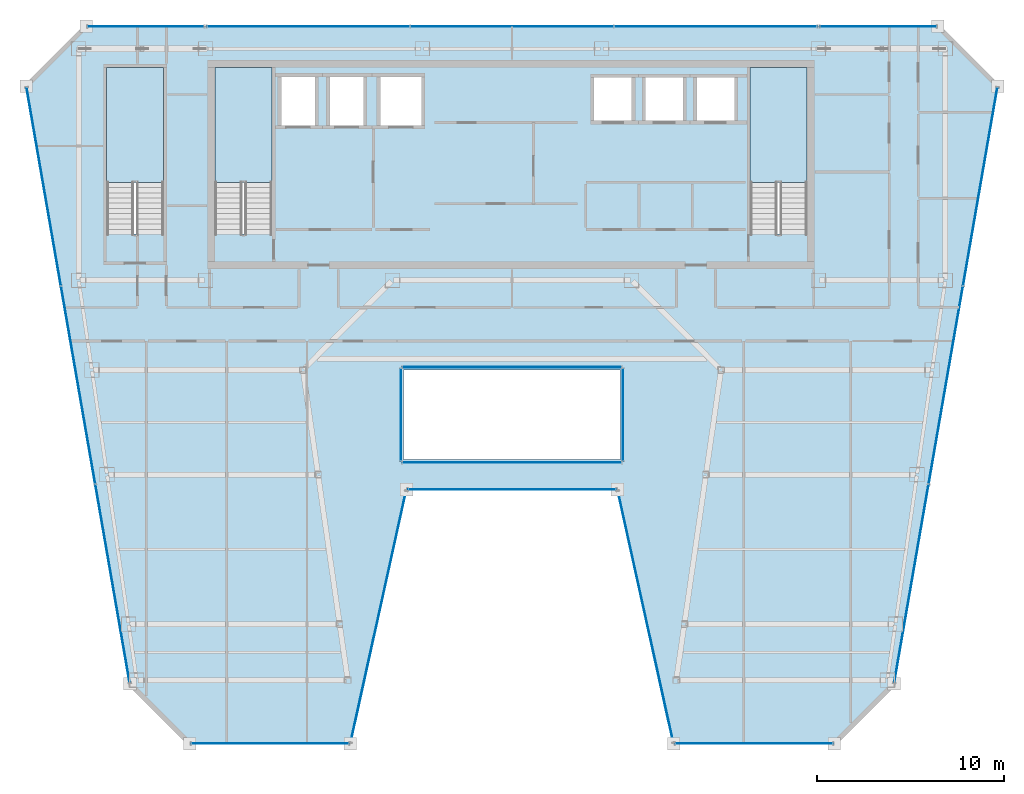
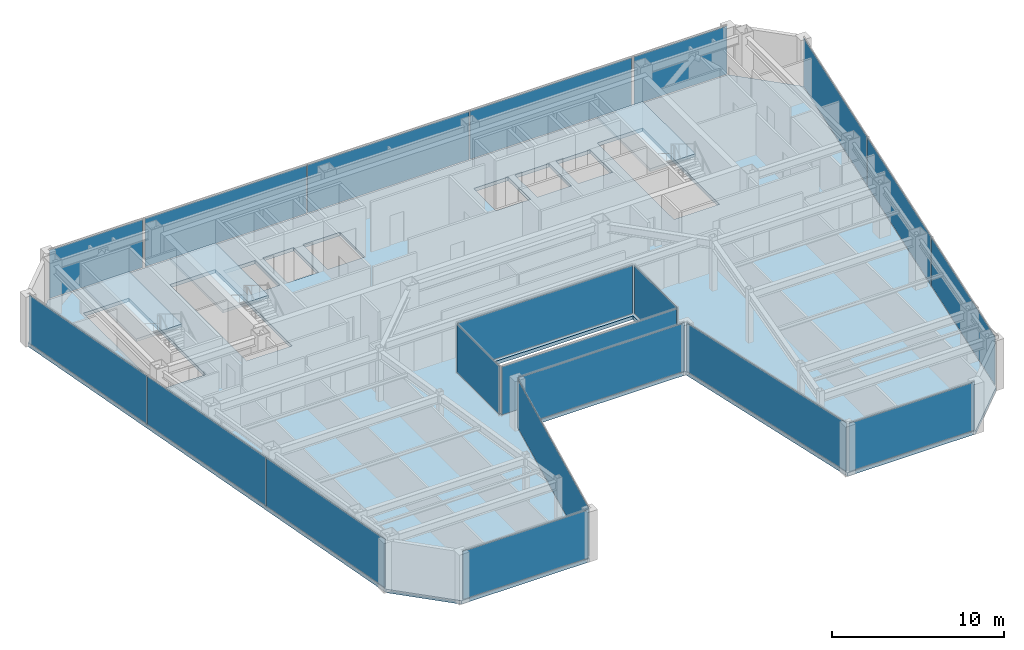
# One storey, part 24 of 33: 20 plates, 4 slabs, 17 elements without a shape of their own.
"""IFC4 building model written with IfcOpenShell, lengths in metres."""

import ifcopenshell
import ifcopenshell.guid

model = None  # the IFC model being written
_history = None  # IfcOwnerHistory: only IFC2X3 demands one
_inside = {}  # id of a spatial element -> (the spatial element, [elements in it])
_under = {}  # id of a project, library or spatial element -> (it, [spatial elements below it])
_declared = {}  # id of a project -> (the project, [libraries it declares])
_typed = {}  # id of a type object -> (the type object, [elements of that type])
_made_of = {}  # id of a material, layer set ... -> (it, [elements and type objects made of it])


def new_model(schema):
    """Start an empty IFC model of exactly this schema.

    Asked for "IFC4X3", IfcOpenShell would pick the latest addendum, in which some entities
    have other attributes; the version numbers below select the first issue.
    IFC2X3 requires an IfcOwnerHistory on every rooted entity: one is made here for all.
    """
    global model, _history
    if schema == "IFC4X3":
        model = ifcopenshell.file(schema_version=(4, 3, 0, 0))
    else:
        model = ifcopenshell.file(schema=schema)
    _inside.clear()
    _under.clear()
    _declared.clear()
    _typed.clear()
    _made_of.clear()
    _history = None
    if model.schema == "IFC2X3":
        org = make("IfcOrganization", Name="unknown")
        user = make(
            "IfcPersonAndOrganization",
            ThePerson=make("IfcPerson", FamilyName="unknown"),
            TheOrganization=org,
        )
        app = make(
            "IfcApplication",
            ApplicationDeveloper=org,
            Version="unknown",
            ApplicationFullName="unknown",
            ApplicationIdentifier="unknown",
        )
        _history = make(
            "IfcOwnerHistory",
            OwningUser=user,
            OwningApplication=app,
            ChangeAction="ADDED",
            CreationDate=0,
        )
    return model


def make(cls, **values):
    """One entity of the class cls with the attributes given. An attribute that is None is left unset."""
    return model.create_entity(
        cls, **{name: value for name, value in values.items() if value is not None}
    )


def rooted(cls, **values):
    """An entity with a GlobalId (a new one), such as an element, a storey or a relation."""
    return make(cls, GlobalId=ifcopenshell.guid.new(), OwnerHistory=_history, **values)


def si_unit(unit_type, name, prefix=None):
    """IfcSIUnit, for example si_unit("LENGTHUNIT", "METRE", prefix="MILLI")."""
    return make("IfcSIUnit", UnitType=unit_type, Prefix=prefix, Name=name)


def assignment(units):
    """IfcUnitAssignment: the units of a project."""
    return None if units is None else make("IfcUnitAssignment", Units=units)


def point(xyz):
    """IfcCartesianPoint."""
    return None if xyz is None else make("IfcCartesianPoint", Coordinates=xyz)


def direction(xyz):
    """IfcDirection."""
    return None if xyz is None else make("IfcDirection", DirectionRatios=xyz)


def frame(location, z_axis=None, x_axis=None):
    """IfcAxis2Placement3D, a coordinate frame: its origin and axes. An axis left out is left unset."""
    return make(
        "IfcAxis2Placement3D",
        Location=point(location),
        Axis=direction(z_axis),
        RefDirection=direction(x_axis),
    )


def frame_2d(location, x_axis=None):
    """IfcAxis2Placement2D, a coordinate frame in the plane: its origin and x axis."""
    return make(
        "IfcAxis2Placement2D", Location=point(location), RefDirection=direction(x_axis)
    )


def origin():
    """The frame at (0, 0, 0) with its axes left unset."""
    return frame((0.0, 0.0, 0.0))


def origin_2d():
    """The frame at (0, 0) in the plane with its x axis left unset."""
    return frame_2d((0.0, 0.0))


def place(relative_to, where):
    """IfcLocalPlacement: puts the frame where relative to a parent placement (None: the world)."""
    return make(
        "IfcLocalPlacement", PlacementRelTo=relative_to, RelativePlacement=where
    )


def context(
    kind, dimensions, precision=None, world=None, true_north=None, identifier=None
):
    """IfcGeometricRepresentationContext, for example the 3D "Model" context."""
    return make(
        "IfcGeometricRepresentationContext",
        ContextIdentifier=identifier,
        ContextType=kind,
        CoordinateSpaceDimension=dimensions,
        Precision=precision,
        WorldCoordinateSystem=world,
        TrueNorth=true_north,
    )


def subcontext(parent, identifier, kind, view, scale=None):
    """IfcGeometricRepresentationSubContext, for example "Body" below "Model"."""
    return make(
        "IfcGeometricRepresentationSubContext",
        ContextIdentifier=identifier,
        ContextType=kind,
        ParentContext=parent,
        TargetScale=scale,
        TargetView=view,
    )


def project(units=None, contexts=None):
    """IfcProject with its units and contexts."""
    return rooted(
        "IfcProject",
        Name="project",
        RepresentationContexts=contexts,
        UnitsInContext=assignment(units),
    )


def spatial(cls, under=None, at=None, **own):
    """A site, building, storey or space (cls), placed at a placement, below another one or the project."""
    s = rooted(cls, ObjectPlacement=at, **own)
    if under is not None:
        _under.setdefault(under.id(), (under, []))[1].append(s)
    return s


def polyline(points):
    """IfcPolyline through the points."""
    return make("IfcPolyline", Points=[point(p) for p in points])


def profile(cls, at=None, kind="AREA", **sizes):
    """A parametric profile (cls). Its sizes go by their IFC names, for example OverallWidth=200.0."""
    return make(cls, ProfileType=kind, Position=at, **sizes)


def rectangle(**sizes):
    """IfcRectangleProfileDef."""
    return profile("IfcRectangleProfileDef", **sizes)


def outline(outer, holes=None, kind="AREA"):
    """IfcArbitraryClosedProfileDef: a profile drawn as a closed curve; with holes, ...WithVoids."""
    if holes is None:
        return make("IfcArbitraryClosedProfileDef", ProfileType=kind, OuterCurve=outer)
    return make(
        "IfcArbitraryProfileDefWithVoids",
        ProfileType=kind,
        OuterCurve=outer,
        InnerCurves=holes,
    )


def extrude(swept, where, along, depth):
    """IfcExtrudedAreaSolid: the profile swept, set in the frame where, extruded along a direction by depth."""
    return make(
        "IfcExtrudedAreaSolid",
        SweptArea=swept,
        Position=where,
        ExtrudedDirection=direction(along),
        Depth=depth,
    )


def shape(context_of_items, identifier, shape_type, items):
    """IfcShapeRepresentation: the items that make up one representation, for example the "Body"."""
    return make(
        "IfcShapeRepresentation",
        ContextOfItems=context_of_items,
        RepresentationIdentifier=identifier,
        RepresentationType=shape_type,
        Items=items,
    )


def material(Name=None, Category=None):
    """IfcMaterial."""
    return make("IfcMaterial", Name=Name, Category=Category)


def layer(
    of_material, thickness, ventilated=None, Name=None, Category=None, Priority=None
):
    """IfcMaterialLayer: one layer of a wall or slab, of a material (None: an air gap)."""
    return make(
        "IfcMaterialLayer",
        Material=of_material,
        LayerThickness=thickness,
        IsVentilated=ventilated,
        Name=Name,
        Category=Category,
        Priority=Priority,
    )


def layer_set(layers, Name=None):
    """IfcMaterialLayerSet."""
    return make("IfcMaterialLayerSet", MaterialLayers=layers, LayerSetName=Name)


def made_of(thing, what):
    """Note that an element or type object is made of a material, layer set ...; save() writes the relation."""
    if what is not None:
        _made_of.setdefault(what.id(), (what, []))[1].append(thing)
    return thing


def type_object(cls, material=None, **own):
    """A type object (cls), such as IfcWallType, which elements share."""
    return made_of(rooted(cls, **own), material)


def element(
    cls,
    number,
    at=None,
    inside=None,
    cuts=None,
    type_object=None,
    material=None,
    context=None,
    identifier="Body",
    shape_type=None,
    held_by="IfcProductDefinitionShape",
    body=None,
    shapes=None,
    **own,
):
    """One element of the class cls, such as IfcWall. Its Tag is "e" and its number.

    at: its placement. inside: the storey or other place that contains it. cuts: it is an
    opening in that element (IfcRelVoidsElement). A single representation is given by context,
    identifier, shape_type and body (its items); several are given by shapes. held_by: the class
    of the entity that holds the representations. save() writes the other relations.
    """
    e = rooted(cls, Tag="e%d" % number, ObjectPlacement=at, **own)
    if body is not None:
        shapes = [shape(context, identifier, shape_type, body)]
    if shapes is not None:
        e.Representation = make(held_by, Representations=shapes)
    if inside is not None:
        _inside.setdefault(inside.id(), (inside, []))[1].append(e)
    if cuts is not None:
        rooted(
            "IfcRelVoidsElement", RelatingBuildingElement=cuts, RelatedOpeningElement=e
        )
    if type_object is not None:
        _typed.setdefault(type_object.id(), (type_object, []))[1].append(e)
    return made_of(e, material)


def aggregate(whole, parts):
    """IfcRelAggregates: a whole, such as a stair, and the parts it consists of."""
    return rooted("IfcRelAggregates", RelatingObject=whole, RelatedObjects=parts)


def save(model, path):
    """Write the relations noted so far, then the file.

    IfcRelAggregates (storeys below a building ...), IfcRelContainedInSpatialStructure (elements
    in a storey), IfcRelDefinesByType, IfcRelAssociatesMaterial and IfcRelDeclares: one each for
    every whole, place, type object, material and project.
    """
    for whole, parts in _under.values():
        aggregate(whole, parts)
    for where, things in _inside.values():
        rooted(
            "IfcRelContainedInSpatialStructure",
            RelatedElements=things,
            RelatingStructure=where,
        )
    for kind, things in _typed.values():
        rooted("IfcRelDefinesByType", RelatedObjects=things, RelatingType=kind)
    for what, things in _made_of.values():
        rooted("IfcRelAssociatesMaterial", RelatedObjects=things, RelatingMaterial=what)
    for by, libraries in _declared.values():
        rooted("IfcRelDeclares", RelatingContext=by, RelatedDefinitions=libraries)
    model.write(path)


model = new_model("IFC4")

# Units and contexts
model_context = context("Model", 3, precision=1e-05, world=origin(), true_north=direction((0.0, 1.0)))
body_context = subcontext(model_context, "Body", "Model", "MODEL_VIEW")
ifc_project = project(units=[si_unit("LENGTHUNIT", "METRE"), si_unit("AREAUNIT", "SQUARE_METRE"), si_unit("VOLUMEUNIT", "CUBIC_METRE"), si_unit("PLANEANGLEUNIT", "RADIAN"), si_unit("MASSUNIT", "GRAM", prefix="KILO")], contexts=[model_context])

# Site, building, storey
site_placement = place(None, origin())
site = spatial("IfcSite", under=ifc_project, at=site_placement, CompositionType="ELEMENT")
building_placement = place(site_placement, origin())
building = spatial("IfcBuilding", under=site, at=building_placement, Name="Saevonmaru Cultural Tower", CompositionType="ELEMENT")
storey_placement = place(building_placement, frame((0.0, 0.0, 238.199951171875)))
storey = spatial("IfcBuildingStorey", under=building, at=storey_placement, Name="L55", CompositionType="ELEMENT", Elevation=238.199951171875)

# Curtain wall, plate
ifc_material_1 = material(Name="Satin Bronze Anodised Aluminium", Category="aluminium")
curtain_wall_type_1 = type_object("IfcCurtainWallType", Name="CW-ATR-GLZ", PredefinedType="NOTDEFINED", material=ifc_material_1)
curtain_wall_1_placement = place(storey_placement, origin())
curtain_wall_1 = element("IfcCurtainWall", 1, at=curtain_wall_1_placement, inside=storey, type_object=curtain_wall_type_1, Name="L55 Vertical Atrium Glazed Smoke Screen 1", PredefinedType="NOTDEFINED")
ifc_material_2 = material(Name="Fire-Rated Laminated Atrium Glass", Category="glass")
ifc_layer_1 = layer(ifc_material_2, 0.031982421875, Name="Fire-Rated Laminated Atrium Glass")
ifc_layer_set_1 = layer_set([ifc_layer_1], Name="Fire-Rated Laminated Atrium Glass")
plate_type_1 = type_object("IfcPlateType", Name="PN-GLZ-ATR-INT", PredefinedType="CURTAIN_PANEL", material=ifc_layer_set_1)
plate_1_placement = place(storey_placement, frame((30.0, 32.64990234375, 0.067138671875), z_axis=(0.0, 0.0, 1.0), x_axis=(1.0, 0.0, 0.0)))
plate_1 = element("IfcPlate", 2, at=plate_1_placement, type_object=plate_type_1, Name="CW-ATR-L55-1 panel 1.1", PredefinedType="CURTAIN_PANEL", context=body_context, shape_type="SweptSolid", body=[
    extrude(rectangle(XDim=11.7109375, YDim=0.031982421875, at=origin_2d()), origin(), (0.0, 0.0, 1.0), 3.416015625),
])
aggregate(curtain_wall_1, [plate_1])

curtain_wall_2_placement = place(storey_placement, origin())
curtain_wall_2 = element("IfcCurtainWall", 3, at=curtain_wall_2_placement, inside=storey, type_object=curtain_wall_type_1, Name="L55 Vertical Atrium Glazed Smoke Screen 2", PredefinedType="NOTDEFINED")
plate_2_placement = place(storey_placement, frame((35.949951171875, 35.199951171875, 0.067138671875), z_axis=(0.0, 0.0, 1.0), x_axis=(0.0, 1.0, 0.0)))
plate_2 = element("IfcPlate", 4, at=plate_2_placement, type_object=plate_type_1, Name="CW-ATR-L55-2 panel 1.1", PredefinedType="CURTAIN_PANEL", context=body_context, shape_type="SweptSolid", body=[
    extrude(rectangle(XDim=4.910888671875, YDim=0.031982421875, at=origin_2d()), origin(), (0.0, 0.0, 1.0), 3.416015625),
])
aggregate(curtain_wall_2, [plate_2])

curtain_wall_3_placement = place(storey_placement, origin())
curtain_wall_3 = element("IfcCurtainWall", 5, at=curtain_wall_3_placement, inside=storey, type_object=curtain_wall_type_1, Name="L55 Vertical Atrium Glazed Smoke Screen 3", PredefinedType="NOTDEFINED")
plate_3_placement = place(storey_placement, frame((30.0, 37.75, 0.067138671875), z_axis=(0.0, 0.0, 1.0), x_axis=(-1.0, 0.0, 0.0)))
plate_3 = element("IfcPlate", 6, at=plate_3_placement, type_object=plate_type_1, Name="CW-ATR-L55-3 panel 1.1", PredefinedType="CURTAIN_PANEL", context=body_context, shape_type="SweptSolid", body=[
    extrude(rectangle(XDim=11.7109375, YDim=0.031982421875, at=origin_2d()), origin(), (0.0, 0.0, 1.0), 3.416015625),
])
aggregate(curtain_wall_3, [plate_3])

curtain_wall_4_placement = place(storey_placement, origin())
curtain_wall_4 = element("IfcCurtainWall", 7, at=curtain_wall_4_placement, inside=storey, type_object=curtain_wall_type_1, Name="L55 Vertical Atrium Glazed Smoke Screen 4", PredefinedType="NOTDEFINED")
plate_4_placement = place(storey_placement, frame((24.050048828125, 35.199951171875, 0.067138671875), z_axis=(0.0, 0.0, 1.0), x_axis=(0.0, -1.0, 0.0)))
plate_4 = element("IfcPlate", 8, at=plate_4_placement, type_object=plate_type_1, Name="CW-ATR-L55-4 panel 1.1", PredefinedType="CURTAIN_PANEL", context=body_context, shape_type="SweptSolid", body=[
    extrude(rectangle(XDim=4.910888671875, YDim=0.031982421875, at=origin_2d()), origin(), (0.0, 0.0, 1.0), 3.416015625),
])
aggregate(curtain_wall_4, [plate_4])

curtain_wall_type_2 = type_object("IfcCurtainWallType", Name="CW-TYP-B", PredefinedType="NOTDEFINED", material=ifc_material_1)
curtain_wall_5_placement = place(storey_placement, origin())
curtain_wall_5 = element("IfcCurtainWall", 9, at=curtain_wall_5_placement, inside=storey, type_object=curtain_wall_type_2, Name="L55 Unitised Curtain Wall E2", PredefinedType="NOTDEFINED")
ifc_material_3 = material(Name="Triple Silver Low-E Insulating Glass", Category="glass")
ifc_layer_2 = layer(ifc_material_3, 0.035888671875, Name="Triple Silver Low-E Insulating Glass")
ifc_layer_set_2 = layer_set([ifc_layer_2], Name="Triple Silver Low-E Insulating Glass")
plate_type_2 = type_object("IfcPlateType", Name="PN-GLZ-IGU", PredefinedType="CURTAIN_PANEL", material=ifc_layer_set_2)
plate_5_placement = place(storey_placement, frame((17.046630859375, 17.60009765625, 0.067138671875), z_axis=(0.0, 0.0, 1.0), x_axis=(1.0, 0.0, 0.0)))
plate_5 = element("IfcPlate", 10, at=plate_5_placement, type_object=plate_type_2, Name="CW-TW-L55-E2 panel 1.1", PredefinedType="CURTAIN_PANEL", context=body_context, shape_type="SweptSolid", body=[
    extrude(rectangle(XDim=8.410888671875, YDim=0.035888671875, at=origin_2d()), origin(), (0.0, 0.0, 1.0), 3.416015625),
])
aggregate(curtain_wall_5, [plate_5])

curtain_wall_6_placement = place(storey_placement, origin())
curtain_wall_6 = element("IfcCurtainWall", 11, at=curtain_wall_6_placement, inside=storey, type_object=curtain_wall_type_2, Name="L55 Unitised Curtain Wall E3", PredefinedType="NOTDEFINED")
plate_6_placement = place(storey_placement, frame((22.8466796875, 24.39990234375, 0.067138671875), z_axis=(0.0, 0.0, 1.0), x_axis=(0.215413319953, 0.976522965212, 0.0)))
plate_6 = element("IfcPlate", 12, at=plate_6_placement, type_object=plate_type_2, Name="CW-TW-L55-E3 panel 1.1", PredefinedType="CURTAIN_PANEL", context=body_context, shape_type="SweptSolid", body=[
    extrude(rectangle(XDim=13.738037109375, YDim=0.035888671875, at=origin_2d()), origin(), (0.0, 0.0, 1.0), 3.416015625),
])
aggregate(curtain_wall_6, [plate_6])

curtain_wall_7_placement = place(storey_placement, origin())
curtain_wall_7 = element("IfcCurtainWall", 13, at=curtain_wall_7_placement, inside=storey, type_object=curtain_wall_type_2, Name="L55 Unitised Curtain Wall E4", PredefinedType="NOTDEFINED")
plate_7_placement = place(storey_placement, frame((30.0, 31.199951171875, 0.067138671875), z_axis=(0.0, 0.0, 1.0), x_axis=(1.0, 0.0, 0.0)))
plate_7 = element("IfcPlate", 14, at=plate_7_placement, type_object=plate_type_2, Name="CW-TW-L55-E4 panel 1.1", PredefinedType="CURTAIN_PANEL", context=body_context, shape_type="SweptSolid", body=[
    extrude(rectangle(XDim=11.11767578125, YDim=0.035888671875, at=origin_2d()), origin(), (0.0, 0.0, 1.0), 3.416015625),
])
aggregate(curtain_wall_7, [plate_7])

curtain_wall_8_placement = place(storey_placement, origin())
curtain_wall_8 = element("IfcCurtainWall", 15, at=curtain_wall_8_placement, inside=storey, type_object=curtain_wall_type_2, Name="L55 Unitised Curtain Wall E5", PredefinedType="NOTDEFINED")
plate_8_placement = place(storey_placement, frame((37.1533203125, 24.39990234375, 0.067138671875), z_axis=(0.0, 0.0, 1.0), x_axis=(0.215413319953, -0.976522965212, 0.0)))
plate_8 = element("IfcPlate", 16, at=plate_8_placement, type_object=plate_type_2, Name="CW-TW-L55-E5 panel 1.1", PredefinedType="CURTAIN_PANEL", context=body_context, shape_type="SweptSolid", body=[
    extrude(rectangle(XDim=13.738037109375, YDim=0.035888671875, at=origin_2d()), origin(), (0.0, 0.0, 1.0), 3.416015625),
])
aggregate(curtain_wall_8, [plate_8])

curtain_wall_9_placement = place(storey_placement, origin())
curtain_wall_9 = element("IfcCurtainWall", 17, at=curtain_wall_9_placement, inside=storey, type_object=curtain_wall_type_2, Name="L55 Unitised Curtain Wall E6", PredefinedType="NOTDEFINED")
plate_9_placement = place(storey_placement, frame((42.953369140625, 17.60009765625, 0.067138671875), z_axis=(0.0, 0.0, 1.0), x_axis=(1.0, 0.0, 0.0)))
plate_9 = element("IfcPlate", 18, at=plate_9_placement, type_object=plate_type_2, Name="CW-TW-L55-E6 panel 1.1", PredefinedType="CURTAIN_PANEL", context=body_context, shape_type="SweptSolid", body=[
    extrude(rectangle(XDim=8.410888671875, YDim=0.035888671875, at=origin_2d()), origin(), (0.0, 0.0, 1.0), 3.416015625),
])
aggregate(curtain_wall_9, [plate_9])

# Curtain wall, plates
curtain_wall_10_placement = place(storey_placement, origin())
curtain_wall_10 = element("IfcCurtainWall", 19, at=curtain_wall_10_placement, inside=storey, type_object=curtain_wall_type_2, Name="L55 Unitised Curtain Wall E8", PredefinedType="NOTDEFINED")
plate_10_placement = place(storey_placement, frame((51.384521484375, 26.1728515625, 0.067138671875), z_axis=(0.0, 0.0, 1.0), x_axis=(0.170790369887, 0.985307388359, 0.0)))
plate_10 = element("IfcPlate", 20, at=plate_10_placement, type_object=plate_type_2, Name="CW-TW-L55-E8 panel 1.1", PredefinedType="CURTAIN_PANEL", context=body_context, shape_type="SweptSolid", body=[
    extrude(rectangle(XDim=10.716796875, YDim=0.035888671875, at=origin_2d()), origin(), (0.0, 0.0, 1.0), 3.416015625),
])
plate_11_placement = place(storey_placement, frame((53.2265625, 36.800048828125, 0.067138671875), z_axis=(0.0, 0.0, 1.0), x_axis=(0.170790369887, 0.985307388359, 0.0)))
plate_11 = element("IfcPlate", 21, at=plate_11_placement, type_object=plate_type_2, Name="CW-TW-L55-E8 panel 2.1", PredefinedType="CURTAIN_PANEL", context=body_context, shape_type="SweptSolid", body=[
    extrude(rectangle(XDim=10.716796875, YDim=0.035888671875, at=origin_2d()), origin(), (0.0, 0.0, 1.0), 3.416015625),
])
plate_12_placement = place(storey_placement, frame((55.06884765625, 47.42724609375, 0.067138671875), z_axis=(0.0, 0.0, 1.0), x_axis=(0.170790369887, 0.985307388359, 0.0)))
plate_12 = element("IfcPlate", 22, at=plate_12_placement, type_object=plate_type_2, Name="CW-TW-L55-E8 panel 3.1", PredefinedType="CURTAIN_PANEL", context=body_context, shape_type="SweptSolid", body=[
    extrude(rectangle(XDim=10.716796875, YDim=0.035888671875, at=origin_2d()), origin(), (0.0, 0.0, 1.0), 3.416015625),
])
aggregate(curtain_wall_10, [plate_10, plate_11, plate_12])

curtain_wall_11_placement = place(storey_placement, origin())
curtain_wall_11 = element("IfcCurtainWall", 23, at=curtain_wall_11_placement, inside=storey, type_object=curtain_wall_type_2, Name="L55 North Spine Unitised Curtain Wall E10B", PredefinedType="NOTDEFINED")
plate_13_placement = place(storey_placement, frame((40.893310546875, 56.0, 0.067138671875), z_axis=(0.0, 0.0, 1.0), x_axis=(-1.0, 0.0, 0.0)))
plate_13 = element("IfcPlate", 24, at=plate_13_placement, type_object=plate_type_2, Name="CW-TW-L55-E10B panel 1.1", PredefinedType="CURTAIN_PANEL", context=body_context, shape_type="SweptSolid", body=[
    extrude(rectangle(XDim=10.82421875, YDim=0.035888671875, at=origin_2d()), origin(), (0.0, 0.0, 1.0), 3.416015625),
])
plate_14_placement = place(storey_placement, frame((30.0, 56.0, 0.067138671875), z_axis=(0.0, 0.0, 1.0), x_axis=(-1.0, 0.0, 0.0)))
plate_14 = element("IfcPlate", 25, at=plate_14_placement, type_object=plate_type_2, Name="CW-TW-L55-E10B panel 2.1", PredefinedType="CURTAIN_PANEL", context=body_context, shape_type="SweptSolid", body=[
    extrude(rectangle(XDim=10.82421875, YDim=0.035888671875, at=origin_2d()), origin(), (0.0, 0.0, 1.0), 3.416015625),
])
plate_15_placement = place(storey_placement, frame((19.106689453125, 56.0, 0.067138671875), z_axis=(0.0, 0.0, 1.0), x_axis=(-1.0, 0.0, 0.0)))
plate_15 = element("IfcPlate", 26, at=plate_15_placement, type_object=plate_type_2, Name="CW-TW-L55-E10B panel 3.1", PredefinedType="CURTAIN_PANEL", context=body_context, shape_type="SweptSolid", body=[
    extrude(rectangle(XDim=10.82421875, YDim=0.035888671875, at=origin_2d()), origin(), (0.0, 0.0, 1.0), 3.416015625),
])
aggregate(curtain_wall_11, [plate_13, plate_14, plate_15])

curtain_wall_12_placement = place(storey_placement, origin())
curtain_wall_12 = element("IfcCurtainWall", 27, at=curtain_wall_12_placement, inside=storey, type_object=curtain_wall_type_2, Name="L55 Unitised Curtain Wall E12", PredefinedType="NOTDEFINED")
plate_16_placement = place(storey_placement, frame((4.93115234375, 47.42724609375, 0.067138671875), z_axis=(0.0, 0.0, 1.0), x_axis=(0.170790369887, -0.985307388359, 0.0)))
plate_16 = element("IfcPlate", 28, at=plate_16_placement, type_object=plate_type_2, Name="CW-TW-L55-E12 panel 1.1", PredefinedType="CURTAIN_PANEL", context=body_context, shape_type="SweptSolid", body=[
    extrude(rectangle(XDim=10.716796875, YDim=0.035888671875, at=origin_2d()), origin(), (0.0, 0.0, 1.0), 3.416015625),
])
plate_17_placement = place(storey_placement, frame((6.7734375, 36.800048828125, 0.067138671875), z_axis=(0.0, 0.0, 1.0), x_axis=(0.170790369887, -0.985307388359, 0.0)))
plate_17 = element("IfcPlate", 29, at=plate_17_placement, type_object=plate_type_2, Name="CW-TW-L55-E12 panel 2.1", PredefinedType="CURTAIN_PANEL", context=body_context, shape_type="SweptSolid", body=[
    extrude(rectangle(XDim=10.716796875, YDim=0.035888671875, at=origin_2d()), origin(), (0.0, 0.0, 1.0), 3.416015625),
])
plate_18_placement = place(storey_placement, frame((8.615478515625, 26.1728515625, 0.067138671875), z_axis=(0.0, 0.0, 1.0), x_axis=(0.170790369887, -0.985307388359, 0.0)))
plate_18 = element("IfcPlate", 30, at=plate_18_placement, type_object=plate_type_2, Name="CW-TW-L55-E12 panel 3.1", PredefinedType="CURTAIN_PANEL", context=body_context, shape_type="SweptSolid", body=[
    extrude(rectangle(XDim=10.716796875, YDim=0.035888671875, at=origin_2d()), origin(), (0.0, 0.0, 1.0), 3.416015625),
])
aggregate(curtain_wall_12, [plate_16, plate_17, plate_18])

# Curtain wall, plate
curtain_wall_13_placement = place(storey_placement, origin())
curtain_wall_13 = element("IfcCurtainWall", 31, at=curtain_wall_13_placement, inside=storey, type_object=curtain_wall_type_2, Name="L55 East Braced Bay Spandrel Curtain Wall E10A", PredefinedType="NOTDEFINED")
ifc_material_4 = material(Name="Insulated Satin Bronze Aluminium Spandrel Panel", Category="aluminium")
ifc_layer_3 = layer(ifc_material_4, 0.0400390625, Name="Insulated Satin Bronze Aluminium Spandrel Panel")
ifc_layer_set_3 = layer_set([ifc_layer_3], Name="Insulated Satin Bronze Aluminium Spandrel Panel")
plate_type_3 = type_object("IfcPlateType", Name="PN-SPANDREL-BRONZE", PredefinedType="CURTAIN_PANEL", material=ifc_layer_set_3)
plate_19_placement = place(storey_placement, frame((49.60009765625, 56.0, 0.067138671875), z_axis=(0.0, 0.0, 1.0), x_axis=(-1.0, 0.0, 0.0)))
plate_19 = element("IfcPlate", 32, at=plate_19_placement, type_object=plate_type_3, Name="CW-TW-L55-E10A panel 1.1", PredefinedType="CURTAIN_PANEL", context=body_context, shape_type="SweptSolid", body=[
    extrude(rectangle(XDim=6.2109375, YDim=0.035888671875, at=origin_2d()), origin(), (0.0, 0.0, 1.0), 3.416015625),
])
aggregate(curtain_wall_13, [plate_19])

curtain_wall_14_placement = place(storey_placement, origin())
curtain_wall_14 = element("IfcCurtainWall", 33, at=curtain_wall_14_placement, inside=storey, type_object=curtain_wall_type_2, Name="L55 West Braced Bay Spandrel Curtain Wall E10C", PredefinedType="NOTDEFINED")
plate_20_placement = place(storey_placement, frame((10.39990234375, 56.0, 0.067138671875), z_axis=(0.0, 0.0, 1.0), x_axis=(-1.0, 0.0, 0.0)))
plate_20 = element("IfcPlate", 34, at=plate_20_placement, type_object=plate_type_3, Name="CW-TW-L55-E10C panel 1.1", PredefinedType="CURTAIN_PANEL", context=body_context, shape_type="SweptSolid", body=[
    extrude(rectangle(XDim=6.2109375, YDim=0.035888671875, at=origin_2d()), origin(), (0.0, 0.0, 1.0), 3.416015625),
])
aggregate(curtain_wall_14, [plate_20])

# Slab
ifc_material_5 = material(Name="Concrete C40/50", Category="concrete")
ifc_layer_4 = layer(ifc_material_5, 0.25, Name="Concrete C40/50")
ifc_layer_set_4 = layer_set([ifc_layer_4], Name="Concrete C40/50")
slab_type_1 = type_object("IfcSlabType", Name="SL-FLR-250", PredefinedType="FLOOR", material=ifc_layer_set_4)
slab_1_placement = place(storey_placement, frame((0.0, 0.0, -0.25)))
element("IfcSlab", 35, at=slab_1_placement, inside=storey, type_object=slab_type_1, Name="L55 Tower Structural Floor Slab", PredefinedType="FLOOR", context=body_context, shape_type="SweptSolid", body=[
    extrude(outline(polyline([(9.546630859375, 20.800048828125), (12.74658203125, 17.60009765625), (21.3466796875, 17.60009765625), (24.3466796875, 31.199951171875), (35.6533203125, 31.199951171875), (38.6533203125, 17.60009765625), (47.25341796875, 17.60009765625), (50.453369140625, 20.800048828125), (56.0, 52.800048828125), (52.800048828125, 56.0), (7.199951171875, 56.0), (4.0, 52.800048828125), (9.546630859375, 20.800048828125)]), holes=[polyline([(45.800048828125, 44.875), (42.75, 44.875), (42.75, 53.800048828125), (45.800048828125, 53.800048828125), (45.800048828125, 44.875)]), polyline([(39.75, 50.800048828125), (39.75, 53.39990234375), (42.050048828125, 53.39990234375), (42.050048828125, 50.800048828125), (39.75, 50.800048828125)]), polyline([(37.0, 50.800048828125), (37.0, 53.39990234375), (39.300048828125, 53.39990234375), (39.300048828125, 50.800048828125), (37.0, 50.800048828125)]), polyline([(36.550048828125, 50.800048828125), (34.25, 50.800048828125), (34.25, 53.39990234375), (36.550048828125, 53.39990234375), (36.550048828125, 50.800048828125)]), polyline([(35.800048828125, 32.800048828125), (24.199951171875, 32.800048828125), (24.199951171875, 37.60009765625), (35.800048828125, 37.60009765625), (35.800048828125, 32.800048828125)]), polyline([(25.300048828125, 50.550048828125), (22.800048828125, 50.550048828125), (22.800048828125, 53.449951171875), (25.300048828125, 53.449951171875), (25.300048828125, 50.550048828125)]), polyline([(22.199951171875, 50.550048828125), (20.10009765625, 50.550048828125), (20.10009765625, 53.449951171875), (22.199951171875, 53.449951171875), (22.199951171875, 50.550048828125)]), polyline([(17.5, 50.550048828125), (17.5, 53.449951171875), (19.60009765625, 53.449951171875), (19.60009765625, 50.550048828125), (17.5, 50.550048828125)]), polyline([(17.14990234375, 53.800048828125), (17.14990234375, 44.875), (14.10009765625, 44.875), (14.10009765625, 53.800048828125), (17.14990234375, 53.800048828125)]), polyline([(11.35009765625, 53.800048828125), (11.35009765625, 44.875), (8.300048828125, 44.875), (8.300048828125, 53.800048828125), (11.35009765625, 53.800048828125)])]), origin(), (0.0, 0.0, 1.0), 0.25),
])

# Stair, slab
stair_type = type_object("IfcStairType", Name="STR-DOGLEG-RC", PredefinedType="HALF_TURN_STAIR", material=ifc_material_5)
stair_1_placement = place(storey_placement, origin())
stair_1 = element("IfcStair", 36, at=stair_1_placement, inside=storey, type_object=stair_type, Name="L55 Protected exit stair ST-1", PredefinedType="HALF_TURN_STAIR")
ifc_layer_5 = layer(ifc_material_5, 0.199951171875, Name="Concrete C40/50")
ifc_layer_set_5 = layer_set([ifc_layer_5], Name="Concrete C40/50")
slab_type_2 = type_object("IfcSlabType", Name="SL-STAIR-LANDING", PredefinedType="LANDING", material=ifc_layer_set_5)
slab_2_placement = place(storey_placement, frame((0.0, 0.0, 1.699951171875)))
slab_2 = element("IfcSlab", 37, at=slab_2_placement, type_object=slab_type_2, Name="ST-1-L55 landing 1", PredefinedType="LANDING", context=body_context, shape_type="SweptSolid", body=[
    extrude(outline(polyline([(17.14990234375, 47.64990234375), (17.14990234375, 53.800048828125), (14.10009765625, 53.800048828125), (14.10009765625, 47.64990234375), (17.14990234375, 47.64990234375)])), origin(), (0.0, 0.0, 1.0), 0.2001953125),
])
aggregate(stair_1, [slab_2])

stair_2_placement = place(storey_placement, origin())
stair_2 = element("IfcStair", 38, at=stair_2_placement, inside=storey, type_object=stair_type, Name="L55 Protected exit stair ST-2", PredefinedType="HALF_TURN_STAIR")
slab_3_placement = place(storey_placement, frame((0.0, 0.0, 1.699951171875)))
slab_3 = element("IfcSlab", 39, at=slab_3_placement, type_object=slab_type_2, Name="ST-2-L55 landing 1", PredefinedType="LANDING", context=body_context, shape_type="SweptSolid", body=[
    extrude(outline(polyline([(45.800048828125, 47.64990234375), (45.800048828125, 53.800048828125), (42.75, 53.800048828125), (42.75, 47.64990234375), (45.800048828125, 47.64990234375)])), origin(), (0.0, 0.0, 1.0), 0.2001953125),
])
aggregate(stair_2, [slab_3])

stair_3_placement = place(storey_placement, origin())
stair_3 = element("IfcStair", 40, at=stair_3_placement, inside=storey, type_object=stair_type, Name="L55 Protected exit stair ST-3", PredefinedType="HALF_TURN_STAIR")
slab_4_placement = place(storey_placement, frame((0.0, 0.0, 1.699951171875)))
slab_4 = element("IfcSlab", 41, at=slab_4_placement, type_object=slab_type_2, Name="ST-3-L55 landing 1", PredefinedType="LANDING", context=body_context, shape_type="SweptSolid", body=[
    extrude(outline(polyline([(11.35009765625, 47.64990234375), (11.35009765625, 53.800048828125), (8.300048828125, 53.800048828125), (8.300048828125, 47.64990234375), (11.35009765625, 47.64990234375)])), origin(), (0.0, 0.0, 1.0), 0.2001953125),
])
aggregate(stair_3, [slab_4])

save(model, "model.ifc")
